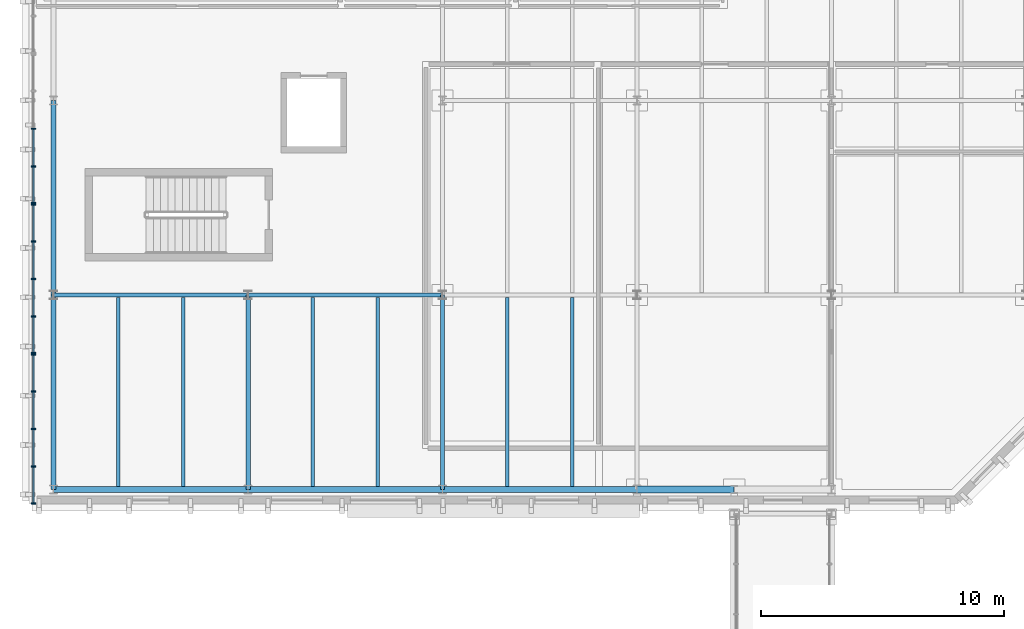
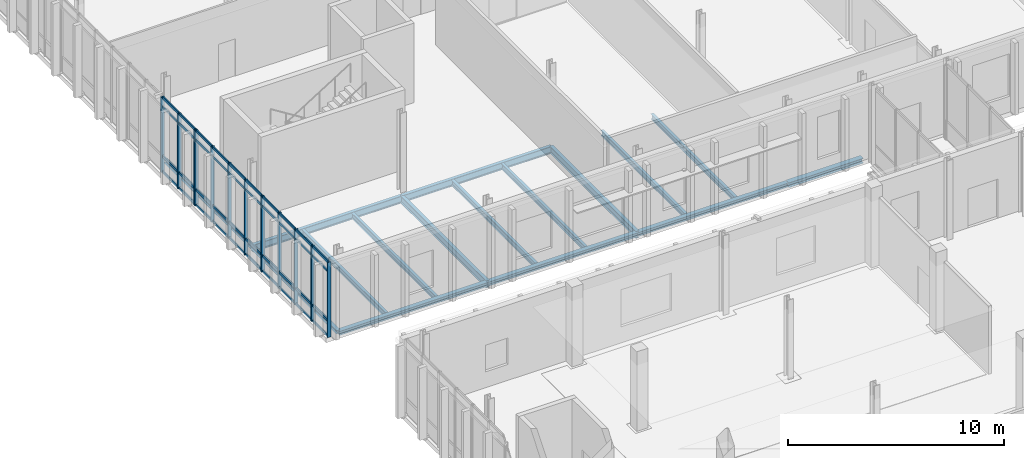
# One storey, part 32 of 86: 53 members, 16 beams, 3 elements without a shape of their own.
"""IFC4 building model written with IfcOpenShell, lengths in metres."""

from ifc_helpers import new_model, si_unit, direction, frame, origin, origin_2d, place, context, subcontext, project, spatial, rectangle, i_section, extrude, material, material_profile, profile_set, type_object, element, aggregate, save


model = new_model("IFC4")

# Units and contexts
model_context = context("Model", 3, precision=1e-05, world=origin(), true_north=direction((0.0, 1.0)))
body_context = subcontext(model_context, "Body", "Model", "MODEL_VIEW")
ifc_project = project(units=[si_unit("LENGTHUNIT", "METRE"), si_unit("AREAUNIT", "SQUARE_METRE"), si_unit("VOLUMEUNIT", "CUBIC_METRE"), si_unit("PLANEANGLEUNIT", "RADIAN"), si_unit("MASSUNIT", "GRAM", prefix="KILO")], contexts=[model_context])

# Site, building, storey
site_placement = place(None, origin())
site = spatial("IfcSite", under=ifc_project, at=site_placement, CompositionType="ELEMENT")
building_placement = place(site_placement, origin())
building = spatial("IfcBuilding", under=site, at=building_placement, Name="Cymarion Research Institute", CompositionType="ELEMENT")
storey_placement = place(building_placement, frame((0.0, 0.0, 13.800048828125)))
storey = spatial("IfcBuildingStorey", under=building, at=storey_placement, Name="L03", CompositionType="ELEMENT", Elevation=13.800048828125)

# Curtain wall, members
ifc_material_1 = material(Name="Anodised aluminium unitised curtain wall with Low-E glazing", Category="aluminium")
curtain_wall_type = type_object("IfcCurtainWallType", Name="UNITISED CURTAIN WALL CW22 6180X4250", PredefinedType="NOTDEFINED", material=ifc_material_1)
curtain_wall_1_placement = place(storey_placement, origin())
curtain_wall_1 = element("IfcCurtainWall", 1, at=curtain_wall_1_placement, inside=storey, type_object=curtain_wall_type, Name="L03 V5 unitised curtain wall CW22 #166", PredefinedType="NOTDEFINED")
ifc_material_2 = material(Name="Anodised aluminium framing", Category="aluminium")
ifc_material_profile_1 = material_profile(ifc_material_2, rectangle(XDim=0.06005859375, YDim=0.179931640625, at=origin_2d()), Name="ALU MULLION 60x180")
ifc_profile_set_1 = profile_set([ifc_material_profile_1], Name="Anodised aluminium framing")
member_type_1 = type_object("IfcMemberType", Name="CURTAIN WALL MULLION ML01 60X180", PredefinedType="MULLION", material=ifc_profile_set_1)
member_1_placement = place(storey_placement, frame((5.77001953125, 100.339111328125, 0.0), z_axis=(0.0, 0.0, 1.0), x_axis=(0.0, -1.0, 0.0)))
member_1 = element("IfcMember", 2, at=member_1_placement, type_object=member_type_1, Name="CW22 mullion 3", PredefinedType="MULLION", context=body_context, shape_type="SweptSolid", body=[
    extrude(rectangle(XDim=0.06005859375, YDim=0.179931640625, at=origin_2d()), origin(), (0.0, 0.0, 1.0), 4.25),
])
member_2_placement = place(storey_placement, frame((5.77001953125, 98.795166015625, 0.0), z_axis=(0.0, 0.0, 1.0), x_axis=(0.0, -1.0, 0.0)))
member_2 = element("IfcMember", 3, at=member_2_placement, type_object=member_type_1, Name="CW22 mullion 4", PredefinedType="MULLION", context=body_context, shape_type="SweptSolid", body=[
    extrude(rectangle(XDim=0.06005859375, YDim=0.179931640625, at=origin_2d()), origin(), (0.0, 0.0, 1.0), 4.25),
])
member_3_placement = place(storey_placement, frame((5.77001953125, 97.28125, 0.0), z_axis=(0.0, 0.0, 1.0), x_axis=(0.0, -1.0, 0.0)))
member_3 = element("IfcMember", 4, at=member_3_placement, type_object=member_type_1, Name="CW22 mullion 5", PredefinedType="MULLION", context=body_context, shape_type="SweptSolid", body=[
    extrude(rectangle(XDim=0.06005859375, YDim=0.179931640625, at=origin_2d()), origin(), (0.0, 0.0, 1.0), 4.25),
])

curtain_wall_2_placement = place(storey_placement, origin())
curtain_wall_2 = element("IfcCurtainWall", 5, at=curtain_wall_2_placement, inside=storey, type_object=curtain_wall_type, Name="L03 V5 unitised curtain wall CW22 #167", PredefinedType="NOTDEFINED")
member_4_placement = place(storey_placement, frame((5.77001953125, 97.22119140625, 0.0), z_axis=(0.0, 0.0, 1.0), x_axis=(0.0, -1.0, 0.0)))
member_4 = element("IfcMember", 6, at=member_4_placement, type_object=member_type_1, Name="CW22 mullion 1", PredefinedType="MULLION", context=body_context, shape_type="SweptSolid", body=[
    extrude(rectangle(XDim=0.06005859375, YDim=0.179931640625, at=origin_2d()), origin(), (0.0, 0.0, 1.0), 4.25),
])
member_5_placement = place(storey_placement, frame((5.77001953125, 95.707275390625, 0.0), z_axis=(0.0, 0.0, 1.0), x_axis=(0.0, -1.0, 0.0)))
member_5 = element("IfcMember", 7, at=member_5_placement, type_object=member_type_1, Name="CW22 mullion 2", PredefinedType="MULLION", context=body_context, shape_type="SweptSolid", body=[
    extrude(rectangle(XDim=0.06005859375, YDim=0.179931640625, at=origin_2d()), origin(), (0.0, 0.0, 1.0), 4.25),
])
member_6_placement = place(storey_placement, frame((5.77001953125, 94.163330078125, 0.0), z_axis=(0.0, 0.0, 1.0), x_axis=(0.0, -1.0, 0.0)))
member_6 = element("IfcMember", 8, at=member_6_placement, type_object=member_type_1, Name="CW22 mullion 3", PredefinedType="MULLION", context=body_context, shape_type="SweptSolid", body=[
    extrude(rectangle(XDim=0.06005859375, YDim=0.179931640625, at=origin_2d()), origin(), (0.0, 0.0, 1.0), 4.25),
])
member_7_placement = place(storey_placement, frame((5.77001953125, 92.619384765625, 0.0), z_axis=(0.0, 0.0, 1.0), x_axis=(0.0, -1.0, 0.0)))
member_7 = element("IfcMember", 9, at=member_7_placement, type_object=member_type_1, Name="CW22 mullion 4", PredefinedType="MULLION", context=body_context, shape_type="SweptSolid", body=[
    extrude(rectangle(XDim=0.06005859375, YDim=0.179931640625, at=origin_2d()), origin(), (0.0, 0.0, 1.0), 4.25),
])
member_8_placement = place(storey_placement, frame((5.77001953125, 91.105712890625, 0.0), z_axis=(0.0, 0.0, 1.0), x_axis=(0.0, -1.0, 0.0)))
member_8 = element("IfcMember", 10, at=member_8_placement, type_object=member_type_1, Name="CW22 mullion 5", PredefinedType="MULLION", context=body_context, shape_type="SweptSolid", body=[
    extrude(rectangle(XDim=0.06005859375, YDim=0.179931640625, at=origin_2d()), origin(), (0.0, 0.0, 1.0), 4.25),
])

curtain_wall_3_placement = place(storey_placement, origin())
curtain_wall_3 = element("IfcCurtainWall", 11, at=curtain_wall_3_placement, inside=storey, type_object=curtain_wall_type, Name="L03 V5 unitised curtain wall CW22 #168", PredefinedType="NOTDEFINED")
member_9_placement = place(storey_placement, frame((5.77001953125, 91.045654296875, 0.0), z_axis=(0.0, 0.0, 1.0), x_axis=(0.0, -1.0, 0.0)))
member_9 = element("IfcMember", 12, at=member_9_placement, type_object=member_type_1, Name="CW22 mullion 1", PredefinedType="MULLION", context=body_context, shape_type="SweptSolid", body=[
    extrude(rectangle(XDim=0.06005859375, YDim=0.179931640625, at=origin_2d()), origin(), (0.0, 0.0, 1.0), 4.25),
])
member_10_placement = place(storey_placement, frame((5.77001953125, 89.53173828125, 0.0), z_axis=(0.0, 0.0, 1.0), x_axis=(0.0, -1.0, 0.0)))
member_10 = element("IfcMember", 13, at=member_10_placement, type_object=member_type_1, Name="CW22 mullion 2", PredefinedType="MULLION", context=body_context, shape_type="SweptSolid", body=[
    extrude(rectangle(XDim=0.06005859375, YDim=0.179931640625, at=origin_2d()), origin(), (0.0, 0.0, 1.0), 4.25),
])
member_11_placement = place(storey_placement, frame((5.77001953125, 87.98779296875, 0.0), z_axis=(0.0, 0.0, 1.0), x_axis=(0.0, -1.0, 0.0)))
member_11 = element("IfcMember", 14, at=member_11_placement, type_object=member_type_1, Name="CW22 mullion 3", PredefinedType="MULLION", context=body_context, shape_type="SweptSolid", body=[
    extrude(rectangle(XDim=0.06005859375, YDim=0.179931640625, at=origin_2d()), origin(), (0.0, 0.0, 1.0), 4.25),
])
member_12_placement = place(storey_placement, frame((5.77001953125, 86.44384765625, 0.0), z_axis=(0.0, 0.0, 1.0), x_axis=(0.0, -1.0, 0.0)))
member_12 = element("IfcMember", 15, at=member_12_placement, type_object=member_type_1, Name="CW22 mullion 4", PredefinedType="MULLION", context=body_context, shape_type="SweptSolid", body=[
    extrude(rectangle(XDim=0.06005859375, YDim=0.179931640625, at=origin_2d()), origin(), (0.0, 0.0, 1.0), 4.25),
])
member_13_placement = place(storey_placement, frame((5.77001953125, 84.929931640625, 0.0), z_axis=(0.0, 0.0, 1.0), x_axis=(0.0, -1.0, 0.0)))
member_13 = element("IfcMember", 16, at=member_13_placement, type_object=member_type_1, Name="CW22 mullion 5", PredefinedType="MULLION", context=body_context, shape_type="SweptSolid", body=[
    extrude(rectangle(XDim=0.06005859375, YDim=0.179931640625, at=origin_2d()), origin(), (0.0, 0.0, 1.0), 4.25),
])

# Member
ifc_material_profile_2 = material_profile(ifc_material_2, rectangle(XDim=0.06005859375, YDim=0.14990234375, at=origin_2d()), Name="ALU TRANSOM 60x150")
ifc_profile_set_2 = profile_set([ifc_material_profile_2], Name="Anodised aluminium framing")
member_type_2 = type_object("IfcMemberType", Name="CURTAIN WALL TRANSOM TR01 60X150", PredefinedType="USERDEFINED", material=ifc_profile_set_2)
member_14_placement = place(storey_placement, frame((5.77001953125, 100.30908203125, 0.030029296875), z_axis=(0.0, -1.0, 0.0), x_axis=(1.0, 0.0, 0.0)))
member_14 = element("IfcMember", 17, at=member_14_placement, type_object=member_type_2, Name="CW22 transom 3.1", ObjectType="TRANSOM", PredefinedType="USERDEFINED", context=body_context, shape_type="SweptSolid", body=[
    extrude(rectangle(XDim=0.06005859375, YDim=0.14990234375, at=origin_2d()), origin(), (0.0, 0.0, 1.0), 1.48388671875),
])

member_15_placement = place(storey_placement, frame((5.77001953125, 100.30908203125, 0.89990234375), z_axis=(0.0, -1.0, 0.0), x_axis=(1.0, 0.0, 0.0)))
member_15 = element("IfcMember", 18, at=member_15_placement, type_object=member_type_2, Name="CW22 transom 3.2", ObjectType="TRANSOM", PredefinedType="USERDEFINED", context=body_context, shape_type="SweptSolid", body=[
    extrude(rectangle(XDim=0.06005859375, YDim=0.14990234375, at=origin_2d()), origin(), (0.0, 0.0, 1.0), 1.48388671875),
])

member_16_placement = place(storey_placement, frame((5.77001953125, 100.30908203125, 3.699951171875), z_axis=(0.0, -1.0, 0.0), x_axis=(1.0, 0.0, 0.0)))
member_16 = element("IfcMember", 19, at=member_16_placement, type_object=member_type_2, Name="CW22 transom 3.3", ObjectType="TRANSOM", PredefinedType="USERDEFINED", context=body_context, shape_type="SweptSolid", body=[
    extrude(rectangle(XDim=0.06005859375, YDim=0.14990234375, at=origin_2d()), origin(), (0.0, 0.0, 1.0), 1.48388671875),
])

member_17_placement = place(storey_placement, frame((5.77001953125, 100.30908203125, 4.219970703125), z_axis=(0.0, -1.0, 0.0), x_axis=(1.0, 0.0, 0.0)))
member_17 = element("IfcMember", 20, at=member_17_placement, type_object=member_type_2, Name="CW22 transom 3.4", ObjectType="TRANSOM", PredefinedType="USERDEFINED", context=body_context, shape_type="SweptSolid", body=[
    extrude(rectangle(XDim=0.06005859375, YDim=0.14990234375, at=origin_2d()), origin(), (0.0, 0.0, 1.0), 1.48388671875),
])

member_18_placement = place(storey_placement, frame((5.77001953125, 98.76513671875, 0.030029296875), z_axis=(0.0, -1.0, 0.0), x_axis=(1.0, 0.0, 0.0)))
member_18 = element("IfcMember", 21, at=member_18_placement, type_object=member_type_2, Name="CW22 transom 4.1", ObjectType="TRANSOM", PredefinedType="USERDEFINED", context=body_context, shape_type="SweptSolid", body=[
    extrude(rectangle(XDim=0.06005859375, YDim=0.14990234375, at=origin_2d()), origin(), (0.0, 0.0, 1.0), 1.453857421875),
])

member_19_placement = place(storey_placement, frame((5.77001953125, 98.76513671875, 0.89990234375), z_axis=(0.0, -1.0, 0.0), x_axis=(1.0, 0.0, 0.0)))
member_19 = element("IfcMember", 22, at=member_19_placement, type_object=member_type_2, Name="CW22 transom 4.2", ObjectType="TRANSOM", PredefinedType="USERDEFINED", context=body_context, shape_type="SweptSolid", body=[
    extrude(rectangle(XDim=0.06005859375, YDim=0.14990234375, at=origin_2d()), origin(), (0.0, 0.0, 1.0), 1.453857421875),
])

member_20_placement = place(storey_placement, frame((5.77001953125, 98.76513671875, 3.699951171875), z_axis=(0.0, -1.0, 0.0), x_axis=(1.0, 0.0, 0.0)))
member_20 = element("IfcMember", 23, at=member_20_placement, type_object=member_type_2, Name="CW22 transom 4.3", ObjectType="TRANSOM", PredefinedType="USERDEFINED", context=body_context, shape_type="SweptSolid", body=[
    extrude(rectangle(XDim=0.06005859375, YDim=0.14990234375, at=origin_2d()), origin(), (0.0, 0.0, 1.0), 1.453857421875),
])

member_21_placement = place(storey_placement, frame((5.77001953125, 98.76513671875, 4.219970703125), z_axis=(0.0, -1.0, 0.0), x_axis=(1.0, 0.0, 0.0)))
member_21 = element("IfcMember", 24, at=member_21_placement, type_object=member_type_2, Name="CW22 transom 4.4", ObjectType="TRANSOM", PredefinedType="USERDEFINED", context=body_context, shape_type="SweptSolid", body=[
    extrude(rectangle(XDim=0.06005859375, YDim=0.14990234375, at=origin_2d()), origin(), (0.0, 0.0, 1.0), 1.453857421875),
])

aggregate(curtain_wall_1, [member_1, member_2, member_3, member_14, member_15, member_16, member_17, member_18, member_19, member_20, member_21])

member_22_placement = place(storey_placement, frame((5.77001953125, 97.191162109375, 0.030029296875), z_axis=(0.0, -1.0, 0.0), x_axis=(1.0, 0.0, 0.0)))
member_22 = element("IfcMember", 25, at=member_22_placement, type_object=member_type_2, Name="CW22 transom 1.1", ObjectType="TRANSOM", PredefinedType="USERDEFINED", context=body_context, shape_type="SweptSolid", body=[
    extrude(rectangle(XDim=0.06005859375, YDim=0.14990234375, at=origin_2d()), origin(), (0.0, 0.0, 1.0), 1.453857421875),
])

member_23_placement = place(storey_placement, frame((5.77001953125, 97.191162109375, 0.89990234375), z_axis=(0.0, -1.0, 0.0), x_axis=(1.0, 0.0, 0.0)))
member_23 = element("IfcMember", 26, at=member_23_placement, type_object=member_type_2, Name="CW22 transom 1.2", ObjectType="TRANSOM", PredefinedType="USERDEFINED", context=body_context, shape_type="SweptSolid", body=[
    extrude(rectangle(XDim=0.06005859375, YDim=0.14990234375, at=origin_2d()), origin(), (0.0, 0.0, 1.0), 1.453857421875),
])

member_24_placement = place(storey_placement, frame((5.77001953125, 97.191162109375, 3.699951171875), z_axis=(0.0, -1.0, 0.0), x_axis=(1.0, 0.0, 0.0)))
member_24 = element("IfcMember", 27, at=member_24_placement, type_object=member_type_2, Name="CW22 transom 1.3", ObjectType="TRANSOM", PredefinedType="USERDEFINED", context=body_context, shape_type="SweptSolid", body=[
    extrude(rectangle(XDim=0.06005859375, YDim=0.14990234375, at=origin_2d()), origin(), (0.0, 0.0, 1.0), 1.453857421875),
])

member_25_placement = place(storey_placement, frame((5.77001953125, 97.191162109375, 4.219970703125), z_axis=(0.0, -1.0, 0.0), x_axis=(1.0, 0.0, 0.0)))
member_25 = element("IfcMember", 28, at=member_25_placement, type_object=member_type_2, Name="CW22 transom 1.4", ObjectType="TRANSOM", PredefinedType="USERDEFINED", context=body_context, shape_type="SweptSolid", body=[
    extrude(rectangle(XDim=0.06005859375, YDim=0.14990234375, at=origin_2d()), origin(), (0.0, 0.0, 1.0), 1.453857421875),
])

member_26_placement = place(storey_placement, frame((5.77001953125, 95.67724609375, 0.030029296875), z_axis=(0.0, -1.0, 0.0), x_axis=(1.0, 0.0, 0.0)))
member_26 = element("IfcMember", 29, at=member_26_placement, type_object=member_type_2, Name="CW22 transom 2.1", ObjectType="TRANSOM", PredefinedType="USERDEFINED", context=body_context, shape_type="SweptSolid", body=[
    extrude(rectangle(XDim=0.06005859375, YDim=0.14990234375, at=origin_2d()), origin(), (0.0, 0.0, 1.0), 1.48388671875),
])

member_27_placement = place(storey_placement, frame((5.77001953125, 95.67724609375, 0.89990234375), z_axis=(0.0, -1.0, 0.0), x_axis=(1.0, 0.0, 0.0)))
member_27 = element("IfcMember", 30, at=member_27_placement, type_object=member_type_2, Name="CW22 transom 2.2", ObjectType="TRANSOM", PredefinedType="USERDEFINED", context=body_context, shape_type="SweptSolid", body=[
    extrude(rectangle(XDim=0.06005859375, YDim=0.14990234375, at=origin_2d()), origin(), (0.0, 0.0, 1.0), 1.48388671875),
])

member_28_placement = place(storey_placement, frame((5.77001953125, 95.67724609375, 3.699951171875), z_axis=(0.0, -1.0, 0.0), x_axis=(1.0, 0.0, 0.0)))
member_28 = element("IfcMember", 31, at=member_28_placement, type_object=member_type_2, Name="CW22 transom 2.3", ObjectType="TRANSOM", PredefinedType="USERDEFINED", context=body_context, shape_type="SweptSolid", body=[
    extrude(rectangle(XDim=0.06005859375, YDim=0.14990234375, at=origin_2d()), origin(), (0.0, 0.0, 1.0), 1.48388671875),
])

member_29_placement = place(storey_placement, frame((5.77001953125, 95.67724609375, 4.219970703125), z_axis=(0.0, -1.0, 0.0), x_axis=(1.0, 0.0, 0.0)))
member_29 = element("IfcMember", 32, at=member_29_placement, type_object=member_type_2, Name="CW22 transom 2.4", ObjectType="TRANSOM", PredefinedType="USERDEFINED", context=body_context, shape_type="SweptSolid", body=[
    extrude(rectangle(XDim=0.06005859375, YDim=0.14990234375, at=origin_2d()), origin(), (0.0, 0.0, 1.0), 1.48388671875),
])

member_30_placement = place(storey_placement, frame((5.77001953125, 94.13330078125, 0.030029296875), z_axis=(0.0, -1.0, 0.0), x_axis=(1.0, 0.0, 0.0)))
member_30 = element("IfcMember", 33, at=member_30_placement, type_object=member_type_2, Name="CW22 transom 3.1", ObjectType="TRANSOM", PredefinedType="USERDEFINED", context=body_context, shape_type="SweptSolid", body=[
    extrude(rectangle(XDim=0.06005859375, YDim=0.14990234375, at=origin_2d()), origin(), (0.0, 0.0, 1.0), 1.48388671875),
])

member_31_placement = place(storey_placement, frame((5.77001953125, 94.13330078125, 0.89990234375), z_axis=(0.0, -1.0, 0.0), x_axis=(1.0, 0.0, 0.0)))
member_31 = element("IfcMember", 34, at=member_31_placement, type_object=member_type_2, Name="CW22 transom 3.2", ObjectType="TRANSOM", PredefinedType="USERDEFINED", context=body_context, shape_type="SweptSolid", body=[
    extrude(rectangle(XDim=0.06005859375, YDim=0.14990234375, at=origin_2d()), origin(), (0.0, 0.0, 1.0), 1.48388671875),
])

member_32_placement = place(storey_placement, frame((5.77001953125, 94.13330078125, 3.699951171875), z_axis=(0.0, -1.0, 0.0), x_axis=(1.0, 0.0, 0.0)))
member_32 = element("IfcMember", 35, at=member_32_placement, type_object=member_type_2, Name="CW22 transom 3.3", ObjectType="TRANSOM", PredefinedType="USERDEFINED", context=body_context, shape_type="SweptSolid", body=[
    extrude(rectangle(XDim=0.06005859375, YDim=0.14990234375, at=origin_2d()), origin(), (0.0, 0.0, 1.0), 1.48388671875),
])

member_33_placement = place(storey_placement, frame((5.77001953125, 94.13330078125, 4.219970703125), z_axis=(0.0, -1.0, 0.0), x_axis=(1.0, 0.0, 0.0)))
member_33 = element("IfcMember", 36, at=member_33_placement, type_object=member_type_2, Name="CW22 transom 3.4", ObjectType="TRANSOM", PredefinedType="USERDEFINED", context=body_context, shape_type="SweptSolid", body=[
    extrude(rectangle(XDim=0.06005859375, YDim=0.14990234375, at=origin_2d()), origin(), (0.0, 0.0, 1.0), 1.48388671875),
])

member_34_placement = place(storey_placement, frame((5.77001953125, 92.589599609375, 0.030029296875), z_axis=(0.0, -1.0, 0.0), x_axis=(1.0, 0.0, 0.0)))
member_34 = element("IfcMember", 37, at=member_34_placement, type_object=member_type_2, Name="CW22 transom 4.1", ObjectType="TRANSOM", PredefinedType="USERDEFINED", context=body_context, shape_type="SweptSolid", body=[
    extrude(rectangle(XDim=0.06005859375, YDim=0.14990234375, at=origin_2d()), origin(), (0.0, 0.0, 1.0), 1.4541015625),
])

member_35_placement = place(storey_placement, frame((5.77001953125, 92.589599609375, 0.89990234375), z_axis=(0.0, -1.0, 0.0), x_axis=(1.0, 0.0, 0.0)))
member_35 = element("IfcMember", 38, at=member_35_placement, type_object=member_type_2, Name="CW22 transom 4.2", ObjectType="TRANSOM", PredefinedType="USERDEFINED", context=body_context, shape_type="SweptSolid", body=[
    extrude(rectangle(XDim=0.06005859375, YDim=0.14990234375, at=origin_2d()), origin(), (0.0, 0.0, 1.0), 1.4541015625),
])

member_36_placement = place(storey_placement, frame((5.77001953125, 92.589599609375, 3.699951171875), z_axis=(0.0, -1.0, 0.0), x_axis=(1.0, 0.0, 0.0)))
member_36 = element("IfcMember", 39, at=member_36_placement, type_object=member_type_2, Name="CW22 transom 4.3", ObjectType="TRANSOM", PredefinedType="USERDEFINED", context=body_context, shape_type="SweptSolid", body=[
    extrude(rectangle(XDim=0.06005859375, YDim=0.14990234375, at=origin_2d()), origin(), (0.0, 0.0, 1.0), 1.4541015625),
])

member_37_placement = place(storey_placement, frame((5.77001953125, 92.589599609375, 4.219970703125), z_axis=(0.0, -1.0, 0.0), x_axis=(1.0, 0.0, 0.0)))
member_37 = element("IfcMember", 40, at=member_37_placement, type_object=member_type_2, Name="CW22 transom 4.4", ObjectType="TRANSOM", PredefinedType="USERDEFINED", context=body_context, shape_type="SweptSolid", body=[
    extrude(rectangle(XDim=0.06005859375, YDim=0.14990234375, at=origin_2d()), origin(), (0.0, 0.0, 1.0), 1.4541015625),
])

aggregate(curtain_wall_2, [member_4, member_5, member_6, member_7, member_8, member_22, member_23, member_24, member_25, member_26, member_27, member_28, member_29, member_30, member_31, member_32, member_33, member_34, member_35, member_36, member_37])

member_38_placement = place(storey_placement, frame((5.77001953125, 91.015625, 0.030029296875), z_axis=(0.0, -1.0, 0.0), x_axis=(1.0, 0.0, 0.0)))
member_38 = element("IfcMember", 41, at=member_38_placement, type_object=member_type_2, Name="CW22 transom 1.1", ObjectType="TRANSOM", PredefinedType="USERDEFINED", context=body_context, shape_type="SweptSolid", body=[
    extrude(rectangle(XDim=0.06005859375, YDim=0.14990234375, at=origin_2d()), origin(), (0.0, 0.0, 1.0), 1.453857421875),
])

member_39_placement = place(storey_placement, frame((5.77001953125, 91.015625, 0.89990234375), z_axis=(0.0, -1.0, 0.0), x_axis=(1.0, 0.0, 0.0)))
member_39 = element("IfcMember", 42, at=member_39_placement, type_object=member_type_2, Name="CW22 transom 1.2", ObjectType="TRANSOM", PredefinedType="USERDEFINED", context=body_context, shape_type="SweptSolid", body=[
    extrude(rectangle(XDim=0.06005859375, YDim=0.14990234375, at=origin_2d()), origin(), (0.0, 0.0, 1.0), 1.453857421875),
])

member_40_placement = place(storey_placement, frame((5.77001953125, 91.015625, 3.699951171875), z_axis=(0.0, -1.0, 0.0), x_axis=(1.0, 0.0, 0.0)))
member_40 = element("IfcMember", 43, at=member_40_placement, type_object=member_type_2, Name="CW22 transom 1.3", ObjectType="TRANSOM", PredefinedType="USERDEFINED", context=body_context, shape_type="SweptSolid", body=[
    extrude(rectangle(XDim=0.06005859375, YDim=0.14990234375, at=origin_2d()), origin(), (0.0, 0.0, 1.0), 1.453857421875),
])

member_41_placement = place(storey_placement, frame((5.77001953125, 91.015625, 4.219970703125), z_axis=(0.0, -1.0, 0.0), x_axis=(1.0, 0.0, 0.0)))
member_41 = element("IfcMember", 44, at=member_41_placement, type_object=member_type_2, Name="CW22 transom 1.4", ObjectType="TRANSOM", PredefinedType="USERDEFINED", context=body_context, shape_type="SweptSolid", body=[
    extrude(rectangle(XDim=0.06005859375, YDim=0.14990234375, at=origin_2d()), origin(), (0.0, 0.0, 1.0), 1.453857421875),
])

member_42_placement = place(storey_placement, frame((5.77001953125, 89.501708984375, 0.030029296875), z_axis=(0.0, -1.0, 0.0), x_axis=(1.0, 0.0, 0.0)))
member_42 = element("IfcMember", 45, at=member_42_placement, type_object=member_type_2, Name="CW22 transom 2.1", ObjectType="TRANSOM", PredefinedType="USERDEFINED", context=body_context, shape_type="SweptSolid", body=[
    extrude(rectangle(XDim=0.06005859375, YDim=0.14990234375, at=origin_2d()), origin(), (0.0, 0.0, 1.0), 1.48388671875),
])

member_43_placement = place(storey_placement, frame((5.77001953125, 89.501708984375, 0.89990234375), z_axis=(0.0, -1.0, 0.0), x_axis=(1.0, 0.0, 0.0)))
member_43 = element("IfcMember", 46, at=member_43_placement, type_object=member_type_2, Name="CW22 transom 2.2", ObjectType="TRANSOM", PredefinedType="USERDEFINED", context=body_context, shape_type="SweptSolid", body=[
    extrude(rectangle(XDim=0.06005859375, YDim=0.14990234375, at=origin_2d()), origin(), (0.0, 0.0, 1.0), 1.48388671875),
])

member_44_placement = place(storey_placement, frame((5.77001953125, 89.501708984375, 3.699951171875), z_axis=(0.0, -1.0, 0.0), x_axis=(1.0, 0.0, 0.0)))
member_44 = element("IfcMember", 47, at=member_44_placement, type_object=member_type_2, Name="CW22 transom 2.3", ObjectType="TRANSOM", PredefinedType="USERDEFINED", context=body_context, shape_type="SweptSolid", body=[
    extrude(rectangle(XDim=0.06005859375, YDim=0.14990234375, at=origin_2d()), origin(), (0.0, 0.0, 1.0), 1.48388671875),
])

member_45_placement = place(storey_placement, frame((5.77001953125, 89.501708984375, 4.219970703125), z_axis=(0.0, -1.0, 0.0), x_axis=(1.0, 0.0, 0.0)))
member_45 = element("IfcMember", 48, at=member_45_placement, type_object=member_type_2, Name="CW22 transom 2.4", ObjectType="TRANSOM", PredefinedType="USERDEFINED", context=body_context, shape_type="SweptSolid", body=[
    extrude(rectangle(XDim=0.06005859375, YDim=0.14990234375, at=origin_2d()), origin(), (0.0, 0.0, 1.0), 1.48388671875),
])

member_46_placement = place(storey_placement, frame((5.77001953125, 87.957763671875, 0.030029296875), z_axis=(0.0, -1.0, 0.0), x_axis=(1.0, 0.0, 0.0)))
member_46 = element("IfcMember", 49, at=member_46_placement, type_object=member_type_2, Name="CW22 transom 3.1", ObjectType="TRANSOM", PredefinedType="USERDEFINED", context=body_context, shape_type="SweptSolid", body=[
    extrude(rectangle(XDim=0.06005859375, YDim=0.14990234375, at=origin_2d()), origin(), (0.0, 0.0, 1.0), 1.48388671875),
])

member_47_placement = place(storey_placement, frame((5.77001953125, 87.957763671875, 0.89990234375), z_axis=(0.0, -1.0, 0.0), x_axis=(1.0, 0.0, 0.0)))
member_47 = element("IfcMember", 50, at=member_47_placement, type_object=member_type_2, Name="CW22 transom 3.2", ObjectType="TRANSOM", PredefinedType="USERDEFINED", context=body_context, shape_type="SweptSolid", body=[
    extrude(rectangle(XDim=0.06005859375, YDim=0.14990234375, at=origin_2d()), origin(), (0.0, 0.0, 1.0), 1.48388671875),
])

member_48_placement = place(storey_placement, frame((5.77001953125, 87.957763671875, 3.699951171875), z_axis=(0.0, -1.0, 0.0), x_axis=(1.0, 0.0, 0.0)))
member_48 = element("IfcMember", 51, at=member_48_placement, type_object=member_type_2, Name="CW22 transom 3.3", ObjectType="TRANSOM", PredefinedType="USERDEFINED", context=body_context, shape_type="SweptSolid", body=[
    extrude(rectangle(XDim=0.06005859375, YDim=0.14990234375, at=origin_2d()), origin(), (0.0, 0.0, 1.0), 1.48388671875),
])

member_49_placement = place(storey_placement, frame((5.77001953125, 87.957763671875, 4.219970703125), z_axis=(0.0, -1.0, 0.0), x_axis=(1.0, 0.0, 0.0)))
member_49 = element("IfcMember", 52, at=member_49_placement, type_object=member_type_2, Name="CW22 transom 3.4", ObjectType="TRANSOM", PredefinedType="USERDEFINED", context=body_context, shape_type="SweptSolid", body=[
    extrude(rectangle(XDim=0.06005859375, YDim=0.14990234375, at=origin_2d()), origin(), (0.0, 0.0, 1.0), 1.48388671875),
])

member_50_placement = place(storey_placement, frame((5.77001953125, 86.413818359375, 0.030029296875), z_axis=(0.0, -1.0, 0.0), x_axis=(1.0, 0.0, 0.0)))
member_50 = element("IfcMember", 53, at=member_50_placement, type_object=member_type_2, Name="CW22 transom 4.1", ObjectType="TRANSOM", PredefinedType="USERDEFINED", context=body_context, shape_type="SweptSolid", body=[
    extrude(rectangle(XDim=0.06005859375, YDim=0.14990234375, at=origin_2d()), origin(), (0.0, 0.0, 1.0), 1.453857421875),
])

member_51_placement = place(storey_placement, frame((5.77001953125, 86.413818359375, 0.89990234375), z_axis=(0.0, -1.0, 0.0), x_axis=(1.0, 0.0, 0.0)))
member_51 = element("IfcMember", 54, at=member_51_placement, type_object=member_type_2, Name="CW22 transom 4.2", ObjectType="TRANSOM", PredefinedType="USERDEFINED", context=body_context, shape_type="SweptSolid", body=[
    extrude(rectangle(XDim=0.06005859375, YDim=0.14990234375, at=origin_2d()), origin(), (0.0, 0.0, 1.0), 1.453857421875),
])

member_52_placement = place(storey_placement, frame((5.77001953125, 86.413818359375, 3.699951171875), z_axis=(0.0, -1.0, 0.0), x_axis=(1.0, 0.0, 0.0)))
member_52 = element("IfcMember", 55, at=member_52_placement, type_object=member_type_2, Name="CW22 transom 4.3", ObjectType="TRANSOM", PredefinedType="USERDEFINED", context=body_context, shape_type="SweptSolid", body=[
    extrude(rectangle(XDim=0.06005859375, YDim=0.14990234375, at=origin_2d()), origin(), (0.0, 0.0, 1.0), 1.453857421875),
])

member_53_placement = place(storey_placement, frame((5.77001953125, 86.413818359375, 4.219970703125), z_axis=(0.0, -1.0, 0.0), x_axis=(1.0, 0.0, 0.0)))
member_53 = element("IfcMember", 56, at=member_53_placement, type_object=member_type_2, Name="CW22 transom 4.4", ObjectType="TRANSOM", PredefinedType="USERDEFINED", context=body_context, shape_type="SweptSolid", body=[
    extrude(rectangle(XDim=0.06005859375, YDim=0.14990234375, at=origin_2d()), origin(), (0.0, 0.0, 1.0), 1.453857421875),
])

aggregate(curtain_wall_3, [member_9, member_10, member_11, member_12, member_13, member_38, member_39, member_40, member_41, member_42, member_43, member_44, member_45, member_46, member_47, member_48, member_49, member_50, member_51, member_52, member_53])

# Beams
ifc_material_3 = material(Name="Steel S355", Category="steel")
ifc_material_profile_3 = material_profile(ifc_material_3, i_section(OverallWidth=0.179931640625, OverallDepth=0.39990234375, WebThickness=0.008544921875, FlangeThickness=0.013427734375, FilletRadius=0.02099609375, at=origin_2d()), Name="IPE 400")
ifc_profile_set_3 = profile_set([ifc_material_profile_3], Name="Steel S355")
beam_type_1 = type_object("IfcBeamType", Name="PRIMARY GIRDER BM05 IPE 400", PredefinedType="BEAM", material=ifc_profile_set_3)
for number, where, z_axis, x_axis, name in (
    (57, (6.60595703125, 93.5, -0.449951171875), (1.0, 0.0, 0.0), (0.0, 1.0, 0.0), "L03 V5 girder BM05 #1528"),
    (58, (14.60595703125, 93.5, -0.449951171875), (1.0, 0.0, 0.0), (0.0, 1.0, 0.0), "L03 V5 girder BM05 #1529"),
):
    element("IfcBeam", number, at=place(storey_placement, frame(where, z_axis=z_axis, x_axis=x_axis)), inside=storey, type_object=beam_type_1, Name=name, PredefinedType="BEAM", context=body_context, shape_type="SweptSolid", body=[
        extrude(i_section(OverallWidth=0.179931640625, OverallDepth=0.39990234375, WebThickness=0.008544921875, FlangeThickness=0.013427734375, FilletRadius=0.02099609375, at=origin_2d()), origin(), (0.0, 0.0, 1.0), 7.988037109375),
    ])
for number, where, z_axis, x_axis, name in (
    (59, (14.60009765625, 85.506103515625, -0.449951171875), (0.0, 1.0, 0.0), (-1.0, 0.0, 0.0), "L03 V5 girder BM05 #1550"),
    (60, (22.60009765625, 85.506103515625, -0.449951171875), (0.0, 1.0, 0.0), (-1.0, 0.0, 0.0), "L03 V5 girder BM05 #1552"),
):
    element("IfcBeam", number, at=place(storey_placement, frame(where, z_axis=z_axis, x_axis=x_axis)), inside=storey, type_object=beam_type_1, Name=name, PredefinedType="BEAM", context=body_context, shape_type="SweptSolid", body=[
        extrude(i_section(OverallWidth=0.179931640625, OverallDepth=0.39990234375, WebThickness=0.008544921875, FlangeThickness=0.013427734375, FilletRadius=0.02099609375, at=origin_2d()), origin(), (0.0, 0.0, 1.0), 7.98779296875),
    ])
ifc_material_profile_4 = material_profile(ifc_material_3, i_section(OverallWidth=0.14990234375, OverallDepth=0.300048828125, WebThickness=0.007080078125, FlangeThickness=0.0107421875, FilletRadius=0.014892578125, at=origin_2d()), Name="IPE 300")
ifc_profile_set_4 = profile_set([ifc_material_profile_4], Name="Steel S355")
beam_type_2 = type_object("IfcBeamType", Name="SECONDARY JOIST JS02 IPE 300", PredefinedType="JOIST", material=ifc_profile_set_4)
for number, where, z_axis, x_axis, name in (
    (61, (9.2666015625, 85.6240234375, -0.400146484375), (0.0, 1.0, 0.0), (-1.0, 0.0, 0.0), "L03 V5 secondary joist JS02 #1566"),
    (62, (11.933349609375, 85.6240234375, -0.400146484375), (0.0, 1.0, 0.0), (-1.0, 0.0, 0.0), "L03 V5 secondary joist JS02 #1567"),
    (63, (17.2666015625, 85.6240234375, -0.400146484375), (0.0, 1.0, 0.0), (-1.0, 0.0, 0.0), "L03 V5 secondary joist JS02 #1568"),
    (64, (19.933349609375, 85.6240234375, -0.400146484375), (0.0, 1.0, 0.0), (-1.0, 0.0, 0.0), "L03 V5 secondary joist JS02 #1569"),
    (65, (25.2666015625, 85.6240234375, -0.400146484375), (0.0, 1.0, 0.0), (-1.0, 0.0, 0.0), "L03 V5 secondary joist JS02 #1570"),
    (66, (27.933349609375, 85.6240234375, -0.400146484375), (0.0, 1.0, 0.0), (-1.0, 0.0, 0.0), "L03 V5 secondary joist JS02 #1571"),
):
    element("IfcBeam", number, at=place(storey_placement, frame(where, z_axis=z_axis, x_axis=x_axis)), inside=storey, type_object=beam_type_2, Name=name, PredefinedType="JOIST", context=body_context, shape_type="SweptSolid", body=[
        extrude(i_section(OverallWidth=0.14990234375, OverallDepth=0.300048828125, WebThickness=0.007080078125, FlangeThickness=0.0107421875, FilletRadius=0.014892578125, at=origin_2d()), origin(), (0.0, 0.0, 1.0), 7.781982421875),
    ])
ifc_material_profile_5 = material_profile(ifc_material_3, i_section(OverallWidth=0.280029296875, OverallDepth=0.27001953125, WebThickness=0.008056640625, FlangeThickness=0.012939453125, FilletRadius=0.02392578125, at=origin_2d()), Name="HEA 280")
ifc_profile_set_5 = profile_set([ifc_material_profile_5], Name="Steel S355")
beam_type_3 = type_object("IfcBeamType", Name="SPANDREL BEAM SPB02 HEA 280", PredefinedType="SPANDREL", material=ifc_profile_set_5)
beam_placement = place(storey_placement, frame((30.60595703125, 85.5, -0.385009765625), z_axis=(1.0, 0.0, 0.0), x_axis=(0.0, 1.0, 0.0)))
element("IfcBeam", 67, at=beam_placement, inside=storey, type_object=beam_type_3, Name="L03 V5 girder SPB02 #1526", PredefinedType="SPANDREL", context=body_context, shape_type="SweptSolid", body=[
    extrude(i_section(OverallWidth=0.280029296875, OverallDepth=0.27001953125, WebThickness=0.008056640625, FlangeThickness=0.012939453125, FilletRadius=0.02392578125, at=origin_2d()), origin(), (0.0, 0.0, 1.0), 3.988037109375),
])
ifc_material_profile_6 = material_profile(ifc_material_3, i_section(OverallWidth=0.239990234375, OverallDepth=0.22998046875, WebThickness=0.007568359375, FlangeThickness=0.011962890625, FilletRadius=0.02099609375, at=origin_2d()), Name="HEA 240")
ifc_profile_set_6 = profile_set([ifc_material_profile_6], Name="Steel S355")
beam_type_4 = type_object("IfcBeamType", Name="SPANDREL BEAM SPB03 HEA 240", PredefinedType="SPANDREL", material=ifc_profile_set_6)
for number, where, z_axis, x_axis, name in (
    (68, (6.60595703125, 85.5, -0.364990234375), (1.0, 0.0, 0.0), (0.0, 1.0, 0.0), "L03 V5 girder SPB03 #1523"),
    (69, (14.60595703125, 85.5, -0.364990234375), (1.0, 0.0, 0.0), (0.0, 1.0, 0.0), "L03 V5 girder SPB03 #1524"),
    (70, (22.60595703125, 85.5, -0.364990234375), (1.0, 0.0, 0.0), (0.0, 1.0, 0.0), "L03 V5 girder SPB03 #1525"),
):
    element("IfcBeam", number, at=place(storey_placement, frame(where, z_axis=z_axis, x_axis=x_axis)), inside=storey, type_object=beam_type_4, Name=name, PredefinedType="SPANDREL", context=body_context, shape_type="SweptSolid", body=[
        extrude(i_section(OverallWidth=0.239990234375, OverallDepth=0.22998046875, WebThickness=0.007568359375, FlangeThickness=0.011962890625, FilletRadius=0.02099609375, at=origin_2d()), origin(), (0.0, 0.0, 1.0), 7.988037109375),
    ])
ifc_material_profile_7 = material_profile(ifc_material_3, i_section(OverallWidth=0.199951171875, OverallDepth=0.18994140625, WebThickness=0.006591796875, FlangeThickness=0.010009765625, FilletRadius=0.01806640625, at=origin_2d()), Name="HEA 200")
ifc_profile_set_7 = profile_set([ifc_material_profile_7], Name="Steel S355")
beam_type_5 = type_object("IfcBeamType", Name="SPANDREL BEAM SPB04 HEA 200", PredefinedType="SPANDREL", material=ifc_profile_set_7)
for number, where, z_axis, x_axis, name in (
    (71, (6.60009765625, 85.506103515625, -0.344970703125), (0.0, 1.0, 0.0), (-1.0, 0.0, 0.0), "L03 V5 girder SPB04 #1546"),
    (72, (6.60009765625, 93.506103515625, -0.344970703125), (0.0, 1.0, 0.0), (-1.0, 0.0, 0.0), "L03 V5 girder SPB04 #1547"),
):
    element("IfcBeam", number, at=place(storey_placement, frame(where, z_axis=z_axis, x_axis=x_axis)), inside=storey, type_object=beam_type_5, Name=name, PredefinedType="SPANDREL", context=body_context, shape_type="SweptSolid", body=[
        extrude(i_section(OverallWidth=0.199951171875, OverallDepth=0.18994140625, WebThickness=0.006591796875, FlangeThickness=0.010009765625, FilletRadius=0.01806640625, at=origin_2d()), origin(), (0.0, 0.0, 1.0), 7.98779296875),
    ])

save(model, "model.ifc")
